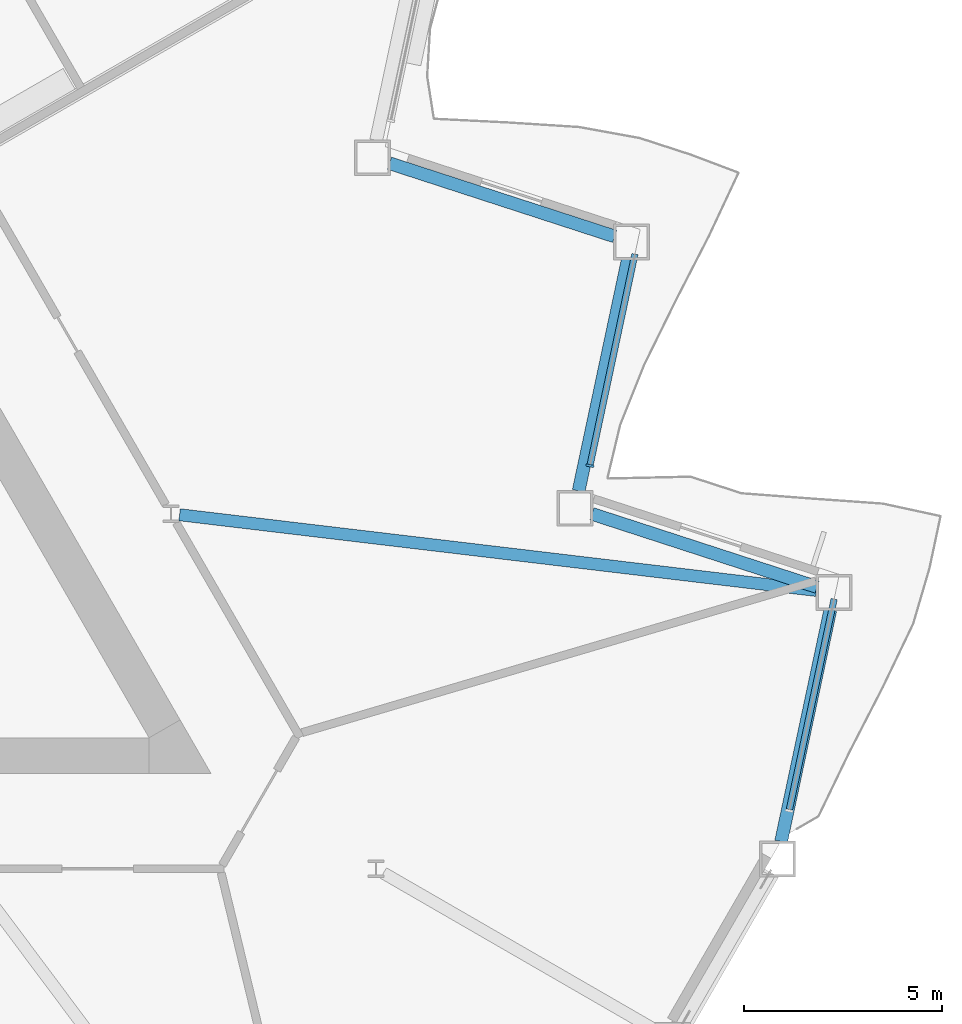
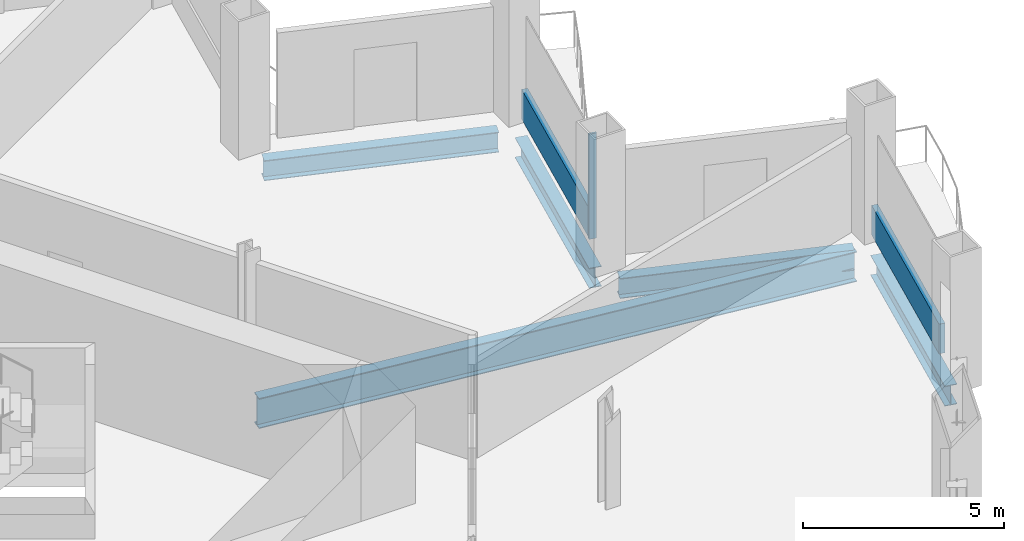
# One storey, part 6 of 21: 5 beams, 3 members, 2 elements without a shape of their own.
"""IFC4 building model written with IfcOpenShell, lengths in metres."""

from ifc_helpers import new_model, si_unit, direction, frame, origin, origin_2d, place, context, subcontext, project, spatial, rectangle, i_section, extrude, material, layer, layer_set, material_profile, profile_set, type_object, element, aggregate, save


model = new_model("IFC4")

# Units and contexts
model_context = context("Model", 3, precision=1e-05, world=origin(), true_north=direction((0.0, 1.0)))
body_context = subcontext(model_context, "Body", "Model", "MODEL_VIEW")
ifc_project = project(units=[si_unit("LENGTHUNIT", "METRE"), si_unit("AREAUNIT", "SQUARE_METRE"), si_unit("VOLUMEUNIT", "CUBIC_METRE"), si_unit("PLANEANGLEUNIT", "RADIAN"), si_unit("MASSUNIT", "GRAM", prefix="KILO")], contexts=[model_context])

# Site, building, storey
site_placement = place(None, origin())
site = spatial("IfcSite", under=ifc_project, at=site_placement, CompositionType="ELEMENT")
building_placement = place(site_placement, origin())
building = spatial("IfcBuilding", under=site, at=building_placement, Name="Cormorant Prow Tower", CompositionType="ELEMENT")
storey_placement = place(building_placement, frame((0.0, 0.0, 112.199951171875)))
storey = spatial("IfcBuildingStorey", under=building, at=storey_placement, Name="L23", CompositionType="ELEMENT", Elevation=112.199951171875)

# Curtain wall, member
ifc_material_1 = material(Name="Aluminium 6063-T6", Category="aluminium")
ifc_layer = layer(ifc_material_1, 0.199951171875)
ifc_layer_set = layer_set([ifc_layer], Name="Aluminium 6063-T6")
curtain_wall_type = type_object("IfcCurtainWallType", Name="Office unitised curtain wall 200", PredefinedType="NOTDEFINED", material=ifc_layer_set)
curtain_wall_1_placement = place(storey_placement, origin())
curtain_wall_1 = element("IfcCurtainWall", 1, at=curtain_wall_1_placement, inside=storey, type_object=curtain_wall_type, Name="Office curtain wall ENE02", PredefinedType="NOTDEFINED")
ifc_material_2 = material(Name="Aluminium 6063-T6", Category="aluminium")
ifc_material_profile_1 = material_profile(ifc_material_2, rectangle(XDim=0.199951171875, YDim=0.06005859375, at=origin_2d()), Name="Office mullion 60x200")
ifc_profile_set_1 = profile_set([ifc_material_profile_1], Name="Aluminium 6063-T6")
member_type_1 = type_object("IfcMemberType", Name="Office mullion 60x200", PredefinedType="MULLION", material=ifc_profile_set_1)
member_1_placement = place(storey_placement, frame((26.04736328125, -1.77294921875, 0.0), z_axis=(0.0, 0.0, 1.0), x_axis=(-0.978147610002, 0.207911647216, 0.0)))
member_1 = element("IfcMember", 2, at=member_1_placement, type_object=member_type_1, Name="Office mullion ENE02", PredefinedType="MULLION", context=body_context, shape_type="SweptSolid", body=[
    extrude(rectangle(XDim=0.199951171875, YDim=0.06005859375, at=origin_2d()), origin(), (0.0, 0.0, 1.0), 3.18896484375),
])

curtain_wall_2_placement = place(storey_placement, origin())
curtain_wall_2 = element("IfcCurtainWall", 3, at=curtain_wall_2_placement, inside=storey, type_object=curtain_wall_type, Name="Office curtain wall ENE00", PredefinedType="NOTDEFINED")
ifc_material_3 = material(Name="Terracotta", Category="masonry")
ifc_material_profile_2 = material_profile(ifc_material_3, rectangle(XDim=0.159912109375, YDim=0.89990234375, at=origin_2d()), Name="Office terracotta spandrel rail 160x900")
ifc_profile_set_2 = profile_set([ifc_material_profile_2], Name="Terracotta")
member_type_2 = type_object("IfcMemberType", Name="Office terracotta spandrel rail 160x900", PredefinedType="USERDEFINED", material=ifc_profile_set_2)
member_2_placement = place(storey_placement, frame((31.071533203125, -10.435302734375, 0.449951171875), z_axis=(0.207907775763, 0.978148432896, 0.0), x_axis=(-0.978148432896, 0.207907775763, 0.0)))
member_2 = element("IfcMember", 4, at=member_2_placement, type_object=member_type_2, Name="Office spandrel rail ENE00", ObjectType="TRANSOM", PredefinedType="USERDEFINED", context=body_context, shape_type="SweptSolid", body=[
    extrude(rectangle(XDim=0.159912109375, YDim=0.89990234375, at=origin_2d()), origin(), (0.0, 0.0, 1.0), 5.42041015625),
])
aggregate(curtain_wall_2, [member_2])

# Member
member_3_placement = place(storey_placement, frame((26.053466796875, -1.74365234375, 0.449951171875), z_axis=(0.207907775763, 0.978148432896, 0.0), x_axis=(-0.978148432896, 0.207907775763, 0.0)))
member_3 = element("IfcMember", 5, at=member_3_placement, type_object=member_type_2, Name="Office spandrel rail ENE02", ObjectType="TRANSOM", PredefinedType="USERDEFINED", context=body_context, shape_type="SweptSolid", body=[
    extrude(rectangle(XDim=0.159912109375, YDim=0.89990234375, at=origin_2d()), origin(), (0.0, 0.0, 1.0), 5.42041015625),
])

aggregate(curtain_wall_1, [member_1, member_3])

# Beams
ifc_material_4 = material(Name="Structural steel ASTM A992 Gr 50", Category="steel")
ifc_material_profile_3 = material_profile(ifc_material_4, i_section(OverallWidth=0.3046875, OverallDepth=0.914794921875, WebThickness=0.0166015625, FlangeThickness=0.02587890625, at=origin_2d()), Name="W36x160")
ifc_profile_set_3 = profile_set([ifc_material_profile_3], Name="Structural steel ASTM A992 Gr 50")
beam_type_1 = type_object("IfcBeamType", Name="Radial floor beam W36x160", PredefinedType="BEAM", material=ifc_profile_set_3)
beam_1_placement = place(storey_placement, frame((15.70849609375, -3.00732421875, -0.857421875), z_axis=(0.993009167646, -0.118037252474, 0.0), x_axis=(0.118037252474, 0.993009167646, 0.0)))
element("IfcBeam", 6, at=beam_1_placement, inside=storey, type_object=beam_type_1, Name="Radial floor beam FB1 10 L23", PredefinedType="BEAM", context=body_context, shape_type="SweptSolid", body=[
    extrude(i_section(OverallWidth=0.3046875, OverallDepth=0.914794921875, WebThickness=0.0166015625, FlangeThickness=0.02587890625, at=origin_2d()), origin(), (0.0, 0.0, 1.0), 16.15380859375),
])
ifc_material_5 = material(Name="Structural steel ASTM A992 Gr 50", Category="steel")
ifc_material_profile_4 = material_profile(ifc_material_5, i_section(OverallWidth=0.32373046875, OverallDepth=0.611083984375, WebThickness=0.0126953125, FlangeThickness=0.01904296875, at=origin_2d()), Name="W24x104")
ifc_profile_set_4 = profile_set([ifc_material_profile_4], Name="Structural steel ASTM A992 Gr 50")
beam_type_2 = type_object("IfcBeamType", Name="Spandrel beam W24x104", PredefinedType="SPANDREL", material=ifc_profile_set_4)
beam_2_placement = place(storey_placement, frame((30.86279296875, -11.23974609375, -0.70556640625), z_axis=(0.207912620873, 0.978147403044, 0.0), x_axis=(-0.978147403044, 0.207912620873, 0.0)))
element("IfcBeam", 7, at=beam_2_placement, inside=storey, type_object=beam_type_2, Name="Spandrel beam SB1 ENE00-ENE01 L23", PredefinedType="SPANDREL", context=body_context, shape_type="SweptSolid", body=[
    extrude(i_section(OverallWidth=0.32373046875, OverallDepth=0.611083984375, WebThickness=0.0126953125, FlangeThickness=0.01904296875, at=origin_2d()), origin(), (0.0, 0.0, 1.0), 5.962890625),
])
for number, where, z_axis, x_axis, name in (
    (8, (31.768310546875, -4.828125, -0.70556640625), (-0.951059340519, 0.309008302174, 0.0), (-0.309008302174, -0.951059340519, 0.0), "Spandrel beam SB1 ENE01-ENE02 L23"),
    (9, (25.762939453125, -2.40625, -0.70556640625), (0.207920947907, 0.978145633033, 0.0), (-0.978145633033, 0.207920947907, 0.0), "Spandrel beam SB1 ENE02-ENE03 L23"),
):
    element("IfcBeam", number, at=place(storey_placement, frame(where, z_axis=z_axis, x_axis=x_axis)), inside=storey, type_object=beam_type_2, Name=name, PredefinedType="SPANDREL", context=body_context, shape_type="SweptSolid", body=[
        extrude(i_section(OverallWidth=0.32373046875, OverallDepth=0.611083984375, WebThickness=0.0126953125, FlangeThickness=0.01904296875, at=origin_2d()), origin(), (0.0, 0.0, 1.0), 5.962646484375),
    ])
beam_3_placement = place(storey_placement, frame((26.668212890625, 4.00537109375, -0.70556640625), z_axis=(-0.951055430656, 0.309020335608, 0.0), x_axis=(-0.309020335608, -0.951055430656, 0.0)))
element("IfcBeam", 10, at=beam_3_placement, inside=storey, type_object=beam_type_2, Name="Spandrel beam SB1 ENE03-ENE04 L23", PredefinedType="SPANDREL", context=body_context, shape_type="SweptSolid", body=[
    extrude(i_section(OverallWidth=0.32373046875, OverallDepth=0.611083984375, WebThickness=0.0126953125, FlangeThickness=0.01904296875, at=origin_2d()), origin(), (0.0, 0.0, 1.0), 5.96240234375),
])

save(model, "model.ifc")
